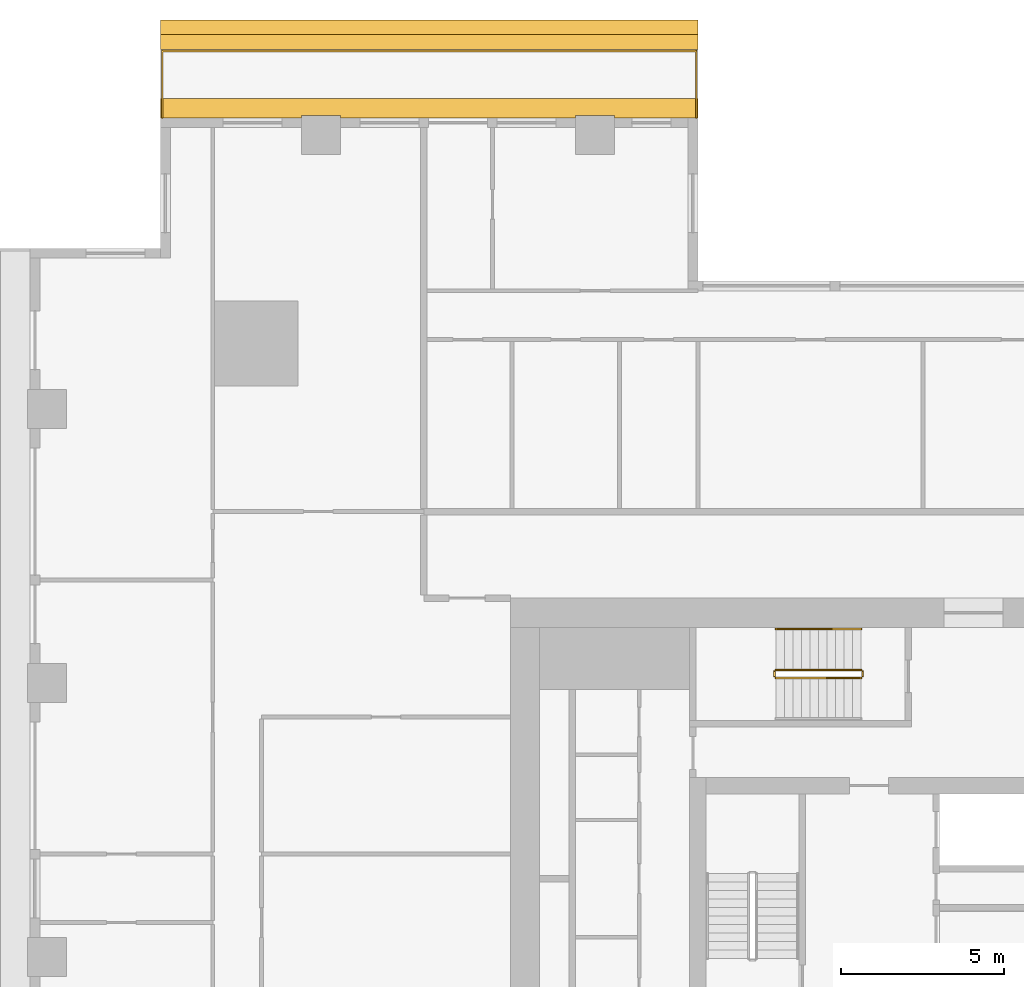
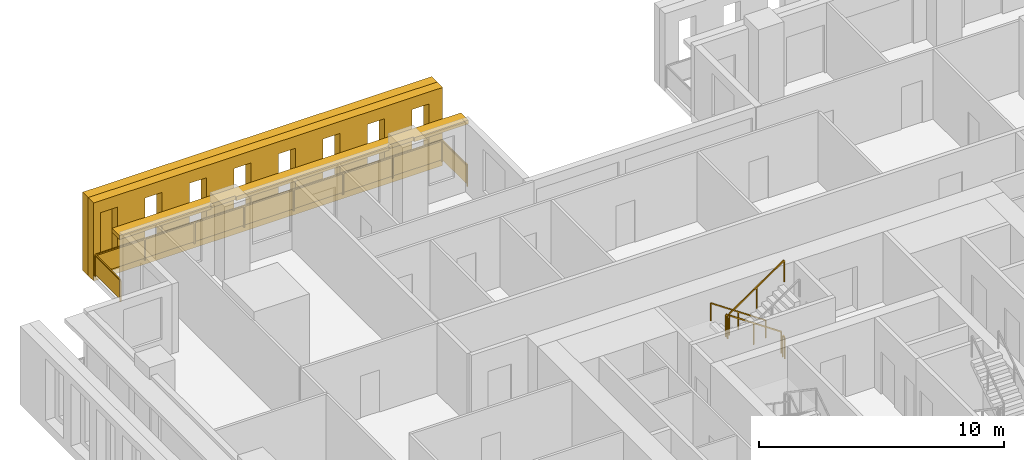
# One storey, part 14 of 15: 6 railings, 3 shading devices.
"""IFC4 building model written with IfcOpenShell, lengths in metres."""

from ifc_helpers import new_model, si_unit, direction, frame, origin, origin_2d, place, context, subcontext, project, spatial, polyline, rectangle, outline, extrude, material, layer, layer_set, type_object, element, save


model = new_model("IFC4")

# Units and contexts
model_context = context("Model", 3, precision=1e-05, world=origin(), true_north=direction((0.0, 1.0)))
body_context = subcontext(model_context, "Body", "Model", "MODEL_VIEW")
ifc_project = project(units=[si_unit("LENGTHUNIT", "METRE"), si_unit("AREAUNIT", "SQUARE_METRE"), si_unit("VOLUMEUNIT", "CUBIC_METRE"), si_unit("PLANEANGLEUNIT", "RADIAN"), si_unit("MASSUNIT", "GRAM", prefix="KILO")], contexts=[model_context])

# Site, building, storey
site_placement = place(None, origin())
site = spatial("IfcSite", under=ifc_project, at=site_placement, CompositionType="ELEMENT")
building_placement = place(site_placement, origin())
building = spatial("IfcBuilding", under=site, at=building_placement, Name="Khepri Terraces", CompositionType="ELEMENT")
storey_placement = place(building_placement, frame((0.0, 0.0, 145.5)))
storey = spatial("IfcBuildingStorey", under=building, at=storey_placement, Name="L34", CompositionType="ELEMENT", Elevation=145.5)

# Railings
ifc_material_1 = material(Name="Stainless steel grade 316", Category="steel")
railing_type_1 = type_object("IfcRailingType", Name="GRD-BAL-1100", PredefinedType="GUARDRAIL", material=ifc_material_1)
railing_1_placement = place(storey_placement, frame((-5.300048828125, 25.719970703125, 0.0)))
element("IfcRailing", 1, at=railing_1_placement, inside=storey, type_object=railing_type_1, Name="Balcony guard L34 N", PredefinedType="GUARDRAIL", context=body_context, shape_type="SweptSolid", body=[
    extrude(rectangle(XDim=0.050048828125, YDim=0.06005859375, at=origin_2d()), frame((0.0, 0.0, 1.070068359375), z_axis=(0.0, 1.0, 0.0), x_axis=(-1.0, 0.0, 0.0)), (0.0, 0.0, 1.0), 2.050048828125),
    extrude(rectangle(XDim=2.0, YDim=0.011962890625, at=origin_2d()), frame((0.0, 1.02490234375, 0.10009765625), z_axis=(0.0, 0.0, 1.0), x_axis=(0.0, 1.0, 0.0)), (0.0, 0.0, 1.0), 0.93994140625),
    extrude(rectangle(XDim=0.050048828125, YDim=0.06005859375, at=origin_2d()), frame((0.0, 2.050048828125, 1.070068359375), z_axis=(-1.0, 0.0, 0.0), x_axis=(0.0, -1.0, 0.0)), (0.0, 0.0, 1.0), 16.369873046875),
    extrude(rectangle(XDim=2.28857421875, YDim=0.011962890625, at=origin_2d()), frame((-1.169189453125, 2.050048828125, 0.10009765625), z_axis=(0.0, 0.0, 1.0), x_axis=(-1.0, 0.0, 0.0)), (0.0, 0.0, 1.0), 0.93994140625),
    extrude(rectangle(XDim=2.28857421875, YDim=0.011962890625, at=origin_2d()), frame((-3.5078125, 2.050048828125, 0.10009765625), z_axis=(0.0, 0.0, 1.0), x_axis=(-1.0, 0.0, 0.0)), (0.0, 0.0, 1.0), 0.93994140625),
    extrude(rectangle(XDim=2.28857421875, YDim=0.011962890625, at=origin_2d()), frame((-5.846435546875, 2.050048828125, 0.10009765625), z_axis=(0.0, 0.0, 1.0), x_axis=(-1.0, 0.0, 0.0)), (0.0, 0.0, 1.0), 0.93994140625),
    extrude(rectangle(XDim=2.28857421875, YDim=0.011962890625, at=origin_2d()), frame((-8.18505859375, 2.050048828125, 0.10009765625), z_axis=(0.0, 0.0, 1.0), x_axis=(-1.0, 0.0, 0.0)), (0.0, 0.0, 1.0), 0.93994140625),
    extrude(rectangle(XDim=2.28857421875, YDim=0.011962890625, at=origin_2d()), frame((-10.5234375, 2.050048828125, 0.10009765625), z_axis=(0.0, 0.0, 1.0), x_axis=(-1.0, 0.0, 0.0)), (0.0, 0.0, 1.0), 0.93994140625),
    extrude(rectangle(XDim=2.28857421875, YDim=0.011962890625, at=origin_2d()), frame((-12.862060546875, 2.050048828125, 0.10009765625), z_axis=(0.0, 0.0, 1.0), x_axis=(-1.0, 0.0, 0.0)), (0.0, 0.0, 1.0), 0.93994140625),
    extrude(rectangle(XDim=2.28857421875, YDim=0.011962890625, at=origin_2d()), frame((-15.20068359375, 2.050048828125, 0.10009765625), z_axis=(0.0, 0.0, 1.0), x_axis=(-1.0, 0.0, 0.0)), (0.0, 0.0, 1.0), 0.93994140625),
    extrude(rectangle(XDim=0.050048828125, YDim=0.06005859375, at=origin_2d()), frame((-16.369873046875, 2.050048828125, 1.070068359375), z_axis=(0.0, -1.0, 0.0), x_axis=(1.0, 0.0, 0.0)), (0.0, 0.0, 1.0), 2.050048828125),
    extrude(rectangle(XDim=2.0, YDim=0.011962890625, at=origin_2d()), frame((-16.369873046875, 1.02490234375, 0.10009765625), z_axis=(0.0, 0.0, 1.0), x_axis=(0.0, -1.0, 0.0)), (0.0, 0.0, 1.0), 0.93994140625),
    extrude(rectangle(XDim=0.050048828125, YDim=0.050048828125, at=origin_2d()), origin(), (0.0, 0.0, 1.0), 1.0400390625),
    extrude(rectangle(XDim=0.050048828125, YDim=0.050048828125, at=origin_2d()), frame((0.0, 2.050048828125, 0.0)), (0.0, 0.0, 1.0), 1.0400390625),
    extrude(rectangle(XDim=0.050048828125, YDim=0.050048828125, at=origin_2d()), frame((-2.338623046875, 2.050048828125, 0.0)), (0.0, 0.0, 1.0), 1.0400390625),
    extrude(rectangle(XDim=0.050048828125, YDim=0.050048828125, at=origin_2d()), frame((-4.677001953125, 2.050048828125, 0.0)), (0.0, 0.0, 1.0), 1.0400390625),
    extrude(rectangle(XDim=0.050048828125, YDim=0.050048828125, at=origin_2d()), frame((-7.015625, 2.050048828125, 0.0)), (0.0, 0.0, 1.0), 1.0400390625),
    extrude(rectangle(XDim=0.050048828125, YDim=0.050048828125, at=origin_2d()), frame((-9.354248046875, 2.050048828125, 0.0)), (0.0, 0.0, 1.0), 1.0400390625),
    extrude(rectangle(XDim=0.050048828125, YDim=0.050048828125, at=origin_2d()), frame((-11.69287109375, 2.050048828125, 0.0)), (0.0, 0.0, 1.0), 1.0400390625),
    extrude(rectangle(XDim=0.050048828125, YDim=0.050048828125, at=origin_2d()), frame((-14.03125, 2.050048828125, 0.0)), (0.0, 0.0, 1.0), 1.0400390625),
    extrude(rectangle(XDim=0.050048828125, YDim=0.050048828125, at=origin_2d()), frame((-16.369873046875, 2.050048828125, 0.0)), (0.0, 0.0, 1.0), 1.0400390625),
    extrude(rectangle(XDim=0.050048828125, YDim=0.050048828125, at=origin_2d()), frame((-16.369873046875, 0.0, 0.0)), (0.0, 0.0, 1.0), 1.0400390625),
])
ifc_material_2 = material(Name="Stainless steel 316", Category="steel")
railing_type_2 = type_object("IfcRailingType", Name="RL-CORE-GUARD", PredefinedType="GUARDRAIL", material=ifc_material_2)
railing_2_placement = place(storey_placement, frame((-0.25, 8.800048828125, 0.17724609375)))
element("IfcRailing", 2, at=railing_2_placement, inside=storey, type_object=railing_type_2, Name="L34 ST-3 stair guard 1", PredefinedType="GUARDRAIL", context=body_context, shape_type="SweptSolid", body=[
    extrude(rectangle(XDim=0.050048828125, YDim=0.06005859375, at=origin_2d()), frame((0.0, 0.0, 1.070068359375), z_axis=(-0.826240473404, 0.0, 0.563317565952), x_axis=(0.0, -1.0, 0.0)), (0.0, 0.0, 1.0), 3.14697265625),
    extrude(rectangle(XDim=0.050048828125, YDim=0.050048828125, at=origin_2d()), origin(), (0.0, 0.0, 1.0), 1.0400390625),
    extrude(rectangle(XDim=0.050048828125, YDim=0.050048828125, at=origin_2d()), frame((-1.300048828125, 0.0, 0.88623046875)), (0.0, 0.0, 1.0), 1.0400390625),
    extrude(rectangle(XDim=0.050048828125, YDim=0.050048828125, at=origin_2d()), frame((-2.60009765625, 0.0, 1.772705078125)), (0.0, 0.0, 1.0), 1.0400390625),
])
railing_3_placement = place(storey_placement, frame((-2.89990234375, 8.75, 1.949951171875)))
element("IfcRailing", 3, at=railing_3_placement, inside=storey, type_object=railing_type_2, Name="L34 ST-3 stair guard 2", PredefinedType="GUARDRAIL", context=body_context, shape_type="SweptSolid", body=[
    extrude(rectangle(XDim=0.050048828125, YDim=0.06005859375, at=origin_2d()), frame((0.0, 0.0, 1.070068359375), z_axis=(0.0, -1.0, 0.0), x_axis=(1.0, 0.0, 0.0)), (0.0, 0.0, 1.0), 0.14990234375),
    extrude(rectangle(XDim=0.050048828125, YDim=0.050048828125, at=origin_2d()), origin(), (0.0, 0.0, 1.0), 1.0400390625),
    extrude(rectangle(XDim=0.050048828125, YDim=0.050048828125, at=origin_2d()), frame((0.0, -0.14990234375, 0.0)), (0.0, 0.0, 1.0), 1.0400390625),
])
railing_4_placement = place(storey_placement, frame((-2.85009765625, 8.550048828125, 2.127197265625)))
element("IfcRailing", 4, at=railing_4_placement, inside=storey, type_object=railing_type_2, Name="L34 ST-3 stair guard 3", PredefinedType="GUARDRAIL", context=body_context, shape_type="SweptSolid", body=[
    extrude(rectangle(XDim=0.050048828125, YDim=0.06005859375, at=origin_2d()), frame((0.0, 0.0, 1.070068359375), z_axis=(0.826240473404, 0.0, 0.563317565952), x_axis=(0.0, 1.0, 0.0)), (0.0, 0.0, 1.0), 3.14697265625),
    extrude(rectangle(XDim=0.050048828125, YDim=0.050048828125, at=origin_2d()), origin(), (0.0, 0.0, 1.0), 1.0400390625),
    extrude(rectangle(XDim=0.050048828125, YDim=0.050048828125, at=origin_2d()), frame((1.300048828125, 0.0, 0.88623046875)), (0.0, 0.0, 1.0), 1.0400390625),
    extrude(rectangle(XDim=0.050048828125, YDim=0.050048828125, at=origin_2d()), frame((2.60009765625, 0.0, 1.772705078125)), (0.0, 0.0, 1.0), 1.0400390625),
])
railing_5_placement = place(storey_placement, frame((-0.199951171875, 8.75, 0.0)))
element("IfcRailing", 5, at=railing_5_placement, inside=storey, type_object=railing_type_2, Name="L34 ST-3 stair guard 4", PredefinedType="GUARDRAIL", context=body_context, shape_type="SweptSolid", body=[
    extrude(rectangle(XDim=0.050048828125, YDim=0.06005859375, at=origin_2d()), frame((0.0, 0.0, 1.070068359375), z_axis=(0.0, -1.0, 0.0), x_axis=(1.0, 0.0, 0.0)), (0.0, 0.0, 1.0), 0.14990234375),
    extrude(rectangle(XDim=0.050048828125, YDim=0.050048828125, at=origin_2d()), origin(), (0.0, 0.0, 1.0), 1.0400390625),
    extrude(rectangle(XDim=0.050048828125, YDim=0.050048828125, at=origin_2d()), frame((0.0, -0.14990234375, 0.0)), (0.0, 0.0, 1.0), 1.0400390625),
])
railing_type_3 = type_object("IfcRailingType", Name="RL-CORE-HANDRAIL", PredefinedType="HANDRAIL", material=ifc_material_2)
railing_6_placement = place(storey_placement, frame((-0.25, 10.050048828125, 0.17724609375)))
element("IfcRailing", 6, at=railing_6_placement, inside=storey, type_object=railing_type_3, Name="L34 ST-3 stair handrail 1", PredefinedType="HANDRAIL", context=body_context, shape_type="SweptSolid", body=[
    extrude(rectangle(XDim=0.050048828125, YDim=0.050048828125, at=origin_2d()), frame((0.0, 0.0, 0.875), z_axis=(-0.826240473404, 0.0, 0.563317565952), x_axis=(0.0, -1.0, 0.0)), (0.0, 0.0, 1.0), 3.14697265625),
    extrude(rectangle(XDim=0.050048828125, YDim=0.050048828125, at=origin_2d()), origin(), (0.0, 0.0, 1.0), 0.849853515625),
    extrude(rectangle(XDim=0.050048828125, YDim=0.050048828125, at=origin_2d()), frame((-1.300048828125, 0.0, 0.88623046875)), (0.0, 0.0, 1.0), 0.849853515625),
    extrude(rectangle(XDim=0.050048828125, YDim=0.050048828125, at=origin_2d()), frame((-2.60009765625, 0.0, 1.772705078125)), (0.0, 0.0, 1.0), 0.849853515625),
])

# Shading devices
ifc_material_3 = material(Name="Precast concrete C50/60 warm stone", Category="masonry")
shading_device_type_1 = type_object("IfcShadingDeviceType", Name="SCR-CELL-INNER-450", PredefinedType="USERDEFINED", material=ifc_material_3)
shading_device_1_placement = place(storey_placement, frame((-5.25, 27.820068359375, -0.25), z_axis=(0.0, 1.0, 0.0), x_axis=(-1.0, 0.0, 0.0)))
element("IfcShadingDevice", 7, at=shading_device_1_placement, inside=storey, type_object=shading_device_type_1, Name="Cell screen L34 N in", ObjectType="SCREEN", PredefinedType="USERDEFINED", context=body_context, shape_type="SweptSolid", body=[
    extrude(outline(polyline([(0.0, 0.0), (16.469970703125, 0.0), (16.469970703125, 3.89990234375), (0.0, 3.89990234375), (0.0, 0.0)]), holes=[polyline([(0.6484375, 0.699951171875), (1.45166015625, 0.699951171875), (1.45166015625, 3.300048828125), (0.6484375, 3.300048828125), (0.6484375, 0.699951171875)]), polyline([(2.748291015625, 0.699951171875), (3.551513671875, 0.699951171875), (3.551513671875, 3.300048828125), (2.748291015625, 3.300048828125), (2.748291015625, 0.699951171875)]), polyline([(4.848388671875, 0.699951171875), (5.651611328125, 0.699951171875), (5.651611328125, 3.300048828125), (4.848388671875, 3.300048828125), (4.848388671875, 0.699951171875)]), polyline([(6.948486328125, 0.699951171875), (7.751708984375, 0.699951171875), (7.751708984375, 3.300048828125), (6.948486328125, 3.300048828125), (6.948486328125, 0.699951171875)]), polyline([(9.04833984375, 0.699951171875), (9.8515625, 0.699951171875), (9.8515625, 3.300048828125), (9.04833984375, 3.300048828125), (9.04833984375, 0.699951171875)]), polyline([(11.1484375, 0.699951171875), (11.95166015625, 0.699951171875), (11.95166015625, 3.300048828125), (11.1484375, 3.300048828125), (11.1484375, 0.699951171875)]), polyline([(13.248291015625, 0.699951171875), (14.051513671875, 0.699951171875), (14.051513671875, 3.300048828125), (13.248291015625, 3.300048828125), (13.248291015625, 0.699951171875)]), polyline([(15.348388671875, 0.699951171875), (16.151611328125, 0.699951171875), (16.151611328125, 3.300048828125), (15.348388671875, 3.300048828125), (15.348388671875, 0.699951171875)])]), origin(), (0.0, 0.0, 1.0), 0.449951171875),
])
shading_device_type_2 = type_object("IfcShadingDeviceType", Name="SCR-CELL-OUTER-450", PredefinedType="USERDEFINED", material=ifc_material_3)
shading_device_2_placement = place(storey_placement, frame((-5.25, 28.27001953125, -0.25), z_axis=(0.0, 1.0, 0.0), x_axis=(-1.0, 0.0, 0.0)))
element("IfcShadingDevice", 8, at=shading_device_2_placement, inside=storey, type_object=shading_device_type_2, Name="Cell screen L34 N out", ObjectType="SCREEN", PredefinedType="USERDEFINED", context=body_context, shape_type="SweptSolid", body=[
    extrude(outline(polyline([(0.0, 0.0), (16.469970703125, 0.0), (16.469970703125, 3.89990234375), (0.0, 3.89990234375), (0.0, 0.0)]), holes=[polyline([(0.29833984375, 0.449951171875), (1.801513671875, 0.449951171875), (1.801513671875, 3.550048828125), (0.29833984375, 3.550048828125), (0.29833984375, 0.449951171875)]), polyline([(2.3984375, 0.449951171875), (3.901611328125, 0.449951171875), (3.901611328125, 3.550048828125), (2.3984375, 3.550048828125), (2.3984375, 0.449951171875)]), polyline([(4.498291015625, 0.449951171875), (6.001708984375, 0.449951171875), (6.001708984375, 3.550048828125), (4.498291015625, 3.550048828125), (4.498291015625, 0.449951171875)]), polyline([(6.598388671875, 0.449951171875), (8.1015625, 0.449951171875), (8.1015625, 3.550048828125), (6.598388671875, 3.550048828125), (6.598388671875, 0.449951171875)]), polyline([(8.698486328125, 0.449951171875), (10.20166015625, 0.449951171875), (10.20166015625, 3.550048828125), (8.698486328125, 3.550048828125), (8.698486328125, 0.449951171875)]), polyline([(10.79833984375, 0.449951171875), (12.301513671875, 0.449951171875), (12.301513671875, 3.550048828125), (10.79833984375, 3.550048828125), (10.79833984375, 0.449951171875)]), polyline([(12.8984375, 0.449951171875), (14.401611328125, 0.449951171875), (14.401611328125, 3.550048828125), (12.8984375, 3.550048828125), (12.8984375, 0.449951171875)])]), origin(), (0.0, 0.0, 1.0), 0.449951171875),
])
ifc_layer = layer(ifc_material_3, 0.199951171875, Name="Precast concrete C50/60 warm stone", Category="masonry")
ifc_layer_set = layer_set([ifc_layer], Name="Precast concrete C50/60 warm stone")
shading_device_type_3 = type_object("IfcShadingDeviceType", Name="SSH-BAND-STONE-200-N", PredefinedType="USERDEFINED", material=ifc_layer_set)
shading_device_3_placement = place(storey_placement, frame((0.0, 0.0, 3.10009765625)))
element("IfcShadingDevice", 9, at=shading_device_3_placement, inside=storey, type_object=shading_device_type_3, Name="Sunshade band L34 N", ObjectType="SUNSHADE", PredefinedType="USERDEFINED", context=body_context, shape_type="SweptSolid", body=[
    extrude(outline(polyline([(-7.800048828125, 25.719970703125), (-5.25, 25.719970703125), (-5.25, 26.320068359375), (-21.719970703125, 26.320068359375), (-21.719970703125, 25.719970703125), (-17.39990234375, 25.719970703125), (-17.39990234375, 25.800048828125), (-16.199951171875, 25.800048828125), (-16.199951171875, 25.719970703125), (-9.0, 25.719970703125), (-9.0, 25.800048828125), (-7.800048828125, 25.800048828125), (-7.800048828125, 25.719970703125)])), origin(), (0.0, 0.0, 1.0), 0.199951171875),
])

save(model, "model.ifc")
